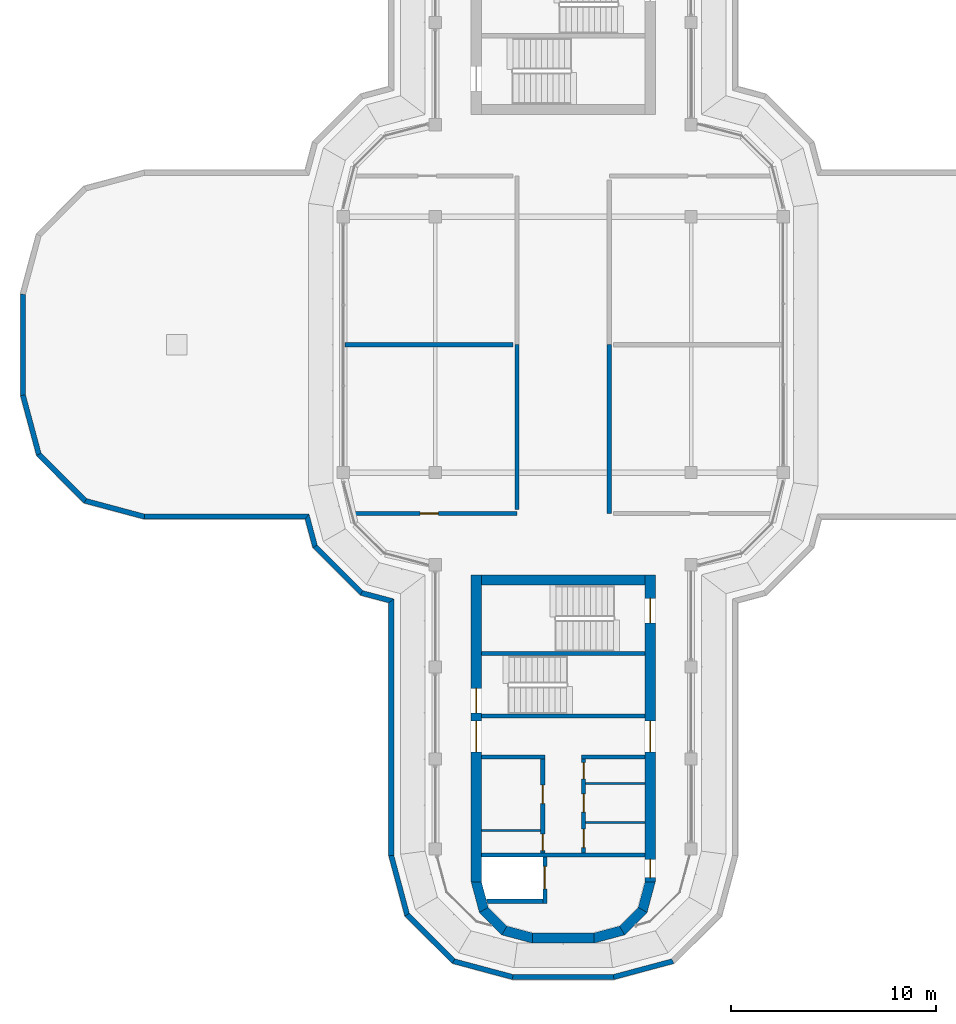
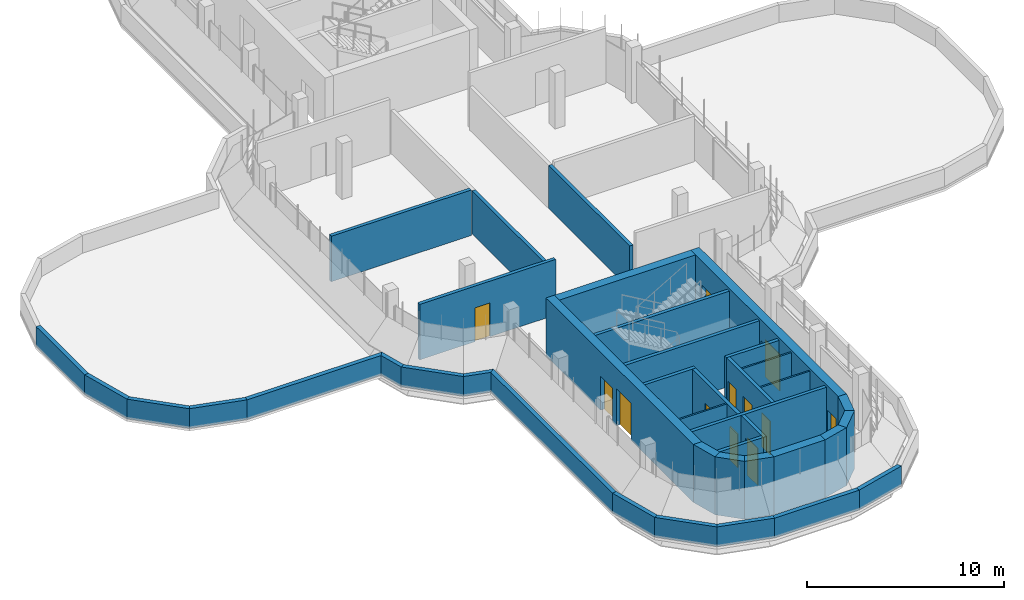
# One storey, part 8 of 13: 40 walls, 12 doors, 12 openings.
"""IFC4 building model written with IfcOpenShell, lengths in metres."""

from ifc_helpers import new_model, si_unit, direction, frame, frame_2d, origin, place, context, subcontext, project, spatial, polyline, rectangle, outline, extrude, material, layer, layer_set, type_object, element, fill, save


model = new_model("IFC4")

# Units and contexts
model_context = context("Model", 3, precision=1e-05, world=origin(), true_north=direction((0.0, 1.0)))
body_context = subcontext(model_context, "Body", "Model", "MODEL_VIEW")
ifc_project = project(units=[si_unit("LENGTHUNIT", "METRE"), si_unit("AREAUNIT", "SQUARE_METRE"), si_unit("VOLUMEUNIT", "CUBIC_METRE"), si_unit("PLANEANGLEUNIT", "RADIAN"), si_unit("MASSUNIT", "GRAM", prefix="KILO")], contexts=[model_context])

# Site, building, storey
site_placement = place(None, origin())
site = spatial("IfcSite", under=ifc_project, at=site_placement, CompositionType="ELEMENT")
building_placement = place(site_placement, origin())
building = spatial("IfcBuilding", under=site, at=building_placement, Name="Zarbagh Exchange Tower", CompositionType="ELEMENT")
storey_placement = place(building_placement, frame((0.0, 0.0, 298.800048828125)))
storey = spatial("IfcBuildingStorey", under=building, at=storey_placement, Name="L73", CompositionType="ELEMENT", Elevation=298.800048828125)

# Walls
ifc_material_1 = material(Name="Dense blockwork", Category="masonry")
ifc_layer_1 = layer(ifc_material_1, 0.10009765625)
ifc_layer_set_1 = layer_set([ifc_layer_1], Name="Core partition 100 mm blockwork")
wall_type_1 = type_object("IfcWallType", Name="Core partition 100 mm blockwork", PredefinedType="PARTITIONING", material=ifc_layer_set_1)
for number, where, z_axis, x_axis, name in (
    (1, (4.0, -23.35009765625, 0.0), (0.0, 0.0, 1.0), (-1.0, 0.0, 0.0), "South core partition wall CUT-W-500"),
    (2, (4.0, -21.449951171875, 0.0), (0.0, 0.0, 1.0), (-1.0, 0.0, 0.0), "South core partition wall CUT-W-690"),
    (3, (-1.10009765625, -23.75, 0.0), (0.0, 0.0, 1.0), (-1.0, 0.0, 0.0), "South core partition wall CUT-E-460"),
):
    element("IfcWall", number, at=place(storey_placement, frame(where, z_axis=z_axis, x_axis=x_axis)), inside=storey, type_object=wall_type_1, Name=name, PredefinedType="PARTITIONING", context=body_context, shape_type="SweptSolid", body=[
        extrude(rectangle(XDim=2.89990234375, YDim=0.10009765625, at=frame_2d((1.449951171875, 0.0))), origin(), (0.0, 0.0, 1.0), 3.449951171875),
    ])
ifc_material_2 = material(Name="Concrete block partition", Category="concrete")
ifc_layer_2 = layer(ifc_material_2, 0.199951171875)
ifc_layer_set_2 = layer_set([ifc_layer_2], Name="Fire-rated block partition 200 EI 60")
wall_type_2 = type_object("IfcWallType", Name="Fire-rated block partition 200 EI 60", PredefinedType="PARTITIONING", material=ifc_layer_set_2)
wall_1_placement = place(storey_placement, frame((2.25, 0.0, 0.0), z_axis=(0.0, 0.0, 1.0), x_axis=(0.0, -1.0, 0.0)))
element("IfcWall", 4, at=wall_1_placement, inside=storey, type_object=wall_type_2, Name="WL-L73-W003", PredefinedType="PARTITIONING", context=body_context, shape_type="SweptSolid", body=[
    extrude(rectangle(XDim=8.25, YDim=0.199951171875, at=frame_2d((4.125, 0.0))), origin(), (0.0, 0.0, 1.0), 2.6806640625),
])

# Wall, opening, door
wall_2_placement = place(storey_placement, frame((-10.238037109375, -8.25, 0.0), z_axis=(0.0, 0.0, 1.0), x_axis=(1.0, 0.0, 0.0)))
wall_2 = element("IfcWall", 5, at=wall_2_placement, inside=storey, type_object=wall_type_2, Name="WL-L73-W007", PredefinedType="PARTITIONING", context=body_context, shape_type="SweptSolid", body=[
    extrude(rectangle(XDim=7.988037109375, YDim=0.199951171875, at=frame_2d((3.994140625, 0.0))), origin(), (0.0, 0.0, 1.0), 3.449951171875),
])
opening_1_placement = place(wall_2_placement, frame((3.239013671875, 0.0, 0.0)))
opening_1 = element("IfcOpeningElement", 6, at=opening_1_placement, cuts=wall_2, Name="Opening D04", PredefinedType="OPENING", context=body_context, shape_type="SweptSolid", body=[
    extrude(rectangle(XDim=0.89990234375, YDim=2.10009765625, at=frame_2d((0.449951171875, 1.050048828125))), frame((0.0, 0.10986328125, 0.0), z_axis=(0.0, -1.0, 0.0), x_axis=(1.0, 0.0, 0.0)), (0.0, 0.0, 1.0), 0.219970703125),
])
ifc_material_3 = material(Name="Steel door set", Category="steel")
door_type_1 = type_object("IfcDoorType", Name="Door single 900x2100 EI 60", OperationType="SINGLE_SWING_LEFT", PredefinedType="DOOR", material=ifc_material_3)
door_1_placement = place(opening_1_placement, origin())
door_1 = element("IfcDoor", 7, at=door_1_placement, inside=storey, type_object=door_type_1, Name="D04", OperationType="SINGLE_SWING_LEFT", OverallHeight=2.10009765625, OverallWidth=0.89990234375, PredefinedType="DOOR", context=body_context, shape_type="SweptSolid", body=[
    extrude(rectangle(XDim=0.89990234375, YDim=2.10009765625, at=frame_2d((0.449951171875, 1.050048828125))), frame((0.0, 0.02490234375, 0.0), z_axis=(0.0, -1.0, 0.0), x_axis=(1.0, 0.0, 0.0)), (0.0, 0.0, 1.0), 0.050048828125),
])
fill(opening_1, door_1)

# Walls
wall_3_placement = place(storey_placement, frame((-2.25, -8.050048828125, 0.0), z_axis=(0.0, 0.0, 1.0), x_axis=(0.0, 1.0, 0.0)))
element("IfcWall", 8, at=wall_3_placement, inside=storey, type_object=wall_type_2, Name="WL-L73-W008", PredefinedType="PARTITIONING", context=body_context, shape_type="SweptSolid", body=[
    extrude(rectangle(XDim=8.050048828125, YDim=0.199951171875, at=frame_2d((4.02490234375, 0.0))), origin(), (0.0, 0.0, 1.0), 2.6806640625),
])
wall_4_placement = place(storey_placement, frame((-2.449951171875, 0.0, 0.0), z_axis=(0.0, 0.0, 1.0), x_axis=(-1.0, 0.0, 0.0)))
element("IfcWall", 9, at=wall_4_placement, inside=storey, type_object=wall_type_2, Name="WL-L73-W010", PredefinedType="PARTITIONING", context=body_context, shape_type="SweptSolid", body=[
    extrude(rectangle(XDim=8.219970703125, YDim=0.199951171875, at=frame_2d((4.10986328125, 0.0))), origin(), (0.0, 0.0, 1.0), 2.827880859375),
])
ifc_material_4 = material(Name="Concrete C40/50", Category="concrete")
ifc_layer_3 = layer(ifc_material_4, 0.25)
ifc_layer_set_3 = layer_set([ifc_layer_3], Name="Parapet wall, concrete C40/50")
wall_type_3 = type_object("IfcWallType", Name="Parapet wall, concrete C40/50", PredefinedType="PARAPET", material=ifc_layer_set_3)
wall_5_placement = place(storey_placement, origin())
element("IfcWall", 10, at=wall_5_placement, inside=storey, type_object=wall_type_3, Name="roof parapet", PredefinedType="PARAPET", context=body_context, shape_type="SweptSolid", body=[
    extrude(outline(polyline([(-2.484375, -31.030029296875), (-5.42138671875, -30.242919921875), (-5.2919921875, -30.018798828125), (-2.451416015625, -30.780029296875), (-2.484375, -31.030029296875)])), origin(), (0.0, 0.0, 1.0), 1.219970703125),
])
wall_6_placement = place(storey_placement, origin())
element("IfcWall", 11, at=wall_6_placement, inside=storey, type_object=wall_type_3, Name="roof parapet", PredefinedType="PARAPET", context=body_context, shape_type="SweptSolid", body=[
    extrude(outline(polyline([(-5.42138671875, -30.242919921875), (-7.742919921875, -27.92138671875), (-7.518798828125, -27.7919921875), (-5.2919921875, -30.018798828125), (-5.42138671875, -30.242919921875)])), origin(), (0.0, 0.0, 1.0), 1.219970703125),
])
wall_7_placement = place(storey_placement, origin())
element("IfcWall", 12, at=wall_7_placement, inside=storey, type_object=wall_type_3, Name="roof parapet", PredefinedType="PARAPET", context=body_context, shape_type="SweptSolid", body=[
    extrude(outline(polyline([(-7.742919921875, -27.92138671875), (-8.530029296875, -24.984375), (-8.280029296875, -24.951416015625), (-7.518798828125, -27.7919921875), (-7.742919921875, -27.92138671875)])), origin(), (0.0, 0.0, 1.0), 1.219970703125),
])
wall_8_placement = place(storey_placement, origin())
element("IfcWall", 13, at=wall_8_placement, inside=storey, type_object=wall_type_3, Name="roof parapet", PredefinedType="PARAPET", context=body_context, shape_type="SweptSolid", body=[
    extrude(outline(polyline([(-8.530029296875, -24.984375), (-8.530029296875, -12.61572265625), (-8.280029296875, -12.424072265625), (-8.280029296875, -24.951416015625), (-8.530029296875, -24.984375)])), origin(), (0.0, 0.0, 1.0), 1.219970703125),
])
wall_9_placement = place(storey_placement, origin())
element("IfcWall", 14, at=wall_9_placement, inside=storey, type_object=wall_type_3, Name="roof parapet", PredefinedType="PARAPET", context=body_context, shape_type="SweptSolid", body=[
    extrude(outline(polyline([(-8.530029296875, -12.61572265625), (-9.92138671875, -12.242919921875), (-9.7919921875, -12.018798828125), (-8.280029296875, -12.424072265625), (-8.530029296875, -12.61572265625)])), origin(), (0.0, 0.0, 1.0), 1.219970703125),
])
wall_10_placement = place(storey_placement, origin())
element("IfcWall", 15, at=wall_10_placement, inside=storey, type_object=wall_type_3, Name="roof parapet", PredefinedType="PARAPET", context=body_context, shape_type="SweptSolid", body=[
    extrude(outline(polyline([(-9.92138671875, -12.242919921875), (-12.242919921875, -9.92138671875), (-12.018798828125, -9.7919921875), (-9.7919921875, -12.018798828125), (-9.92138671875, -12.242919921875)])), origin(), (0.0, 0.0, 1.0), 1.219970703125),
])
wall_11_placement = place(storey_placement, origin())
element("IfcWall", 16, at=wall_11_placement, inside=storey, type_object=wall_type_3, Name="roof parapet", PredefinedType="PARAPET", context=body_context, shape_type="SweptSolid", body=[
    extrude(outline(polyline([(-12.242919921875, -9.92138671875), (-12.61572265625, -8.530029296875), (-12.424072265625, -8.280029296875), (-12.018798828125, -9.7919921875), (-12.242919921875, -9.92138671875)])), origin(), (0.0, 0.0, 1.0), 1.219970703125),
])
wall_12_placement = place(storey_placement, origin())
element("IfcWall", 17, at=wall_12_placement, inside=storey, type_object=wall_type_3, Name="roof parapet", PredefinedType="PARAPET", context=body_context, shape_type="SweptSolid", body=[
    extrude(outline(polyline([(-12.61572265625, -8.530029296875), (-20.484375, -8.530029296875), (-20.451416015625, -8.280029296875), (-12.424072265625, -8.280029296875), (-12.61572265625, -8.530029296875)])), origin(), (0.0, 0.0, 1.0), 1.219970703125),
])
wall_13_placement = place(storey_placement, origin())
element("IfcWall", 18, at=wall_13_placement, inside=storey, type_object=wall_type_3, Name="roof parapet", PredefinedType="PARAPET", context=body_context, shape_type="SweptSolid", body=[
    extrude(outline(polyline([(-20.484375, -8.530029296875), (-23.42138671875, -7.742919921875), (-23.2919921875, -7.518798828125), (-20.451416015625, -8.280029296875), (-20.484375, -8.530029296875)])), origin(), (0.0, 0.0, 1.0), 1.219970703125),
])
wall_14_placement = place(storey_placement, origin())
element("IfcWall", 19, at=wall_14_placement, inside=storey, type_object=wall_type_3, Name="roof parapet", PredefinedType="PARAPET", context=body_context, shape_type="SweptSolid", body=[
    extrude(outline(polyline([(-23.42138671875, -7.742919921875), (-25.742919921875, -5.42138671875), (-25.518798828125, -5.2919921875), (-23.2919921875, -7.518798828125), (-23.42138671875, -7.742919921875)])), origin(), (0.0, 0.0, 1.0), 1.219970703125),
])
wall_15_placement = place(storey_placement, origin())
element("IfcWall", 20, at=wall_15_placement, inside=storey, type_object=wall_type_3, Name="roof parapet", PredefinedType="PARAPET", context=body_context, shape_type="SweptSolid", body=[
    extrude(outline(polyline([(-25.742919921875, -5.42138671875), (-26.530029296875, -2.484375), (-26.280029296875, -2.451416015625), (-25.518798828125, -5.2919921875), (-25.742919921875, -5.42138671875)])), origin(), (0.0, 0.0, 1.0), 1.219970703125),
])
wall_16_placement = place(storey_placement, origin())
element("IfcWall", 21, at=wall_16_placement, inside=storey, type_object=wall_type_3, Name="roof parapet", PredefinedType="PARAPET", context=body_context, shape_type="SweptSolid", body=[
    extrude(outline(polyline([(-26.530029296875, -2.484375), (-26.530029296875, 2.484375), (-26.280029296875, 2.451416015625), (-26.280029296875, -2.451416015625), (-26.530029296875, -2.484375)])), origin(), (0.0, 0.0, 1.0), 1.219970703125),
])
wall_17_placement = place(storey_placement, origin())
element("IfcWall", 22, at=wall_17_placement, inside=storey, type_object=wall_type_3, Name="roof parapet", PredefinedType="PARAPET", context=body_context, shape_type="SweptSolid", body=[
    extrude(outline(polyline([(5.42138671875, -30.242919921875), (2.484375, -31.030029296875), (2.451416015625, -30.780029296875), (5.2919921875, -30.018798828125), (5.42138671875, -30.242919921875)])), origin(), (0.0, 0.0, 1.0), 1.219970703125),
])
wall_18_placement = place(storey_placement, origin())
element("IfcWall", 23, at=wall_18_placement, inside=storey, type_object=wall_type_3, Name="roof parapet", PredefinedType="PARAPET", context=body_context, shape_type="SweptSolid", body=[
    extrude(outline(polyline([(2.484375, -31.030029296875), (-2.484375, -31.030029296875), (-2.451416015625, -30.780029296875), (2.451416015625, -30.780029296875), (2.484375, -31.030029296875)])), origin(), (0.0, 0.0, 1.0), 1.219970703125),
])
ifc_layer_4 = layer(ifc_material_4, 0.5)
ifc_layer_set_4 = layer_set([ifc_layer_4], Name="RC core corner wall 500 C40/50")
wall_type_4 = type_object("IfcWallType", Name="RC core corner wall 500 C40/50", PredefinedType="SHEAR", material=ifc_layer_set_4)
wall_19_placement = place(storey_placement, origin())
element("IfcWall", 24, at=wall_19_placement, inside=storey, type_object=wall_type_4, Name="CW10 core S corner W", PredefinedType="SHEAR", context=body_context, shape_type="SweptSolid", body=[
    extrude(outline(polyline([(-4.5, -26.25), (-4.09814453125, -27.75), (-3.6650390625, -27.5), (-4.0, -26.25), (-4.5, -26.25)])), origin(), (0.0, 0.0, 1.0), 3.599853515625),
])
wall_20_placement = place(storey_placement, origin())
element("IfcWall", 25, at=wall_20_placement, inside=storey, type_object=wall_type_4, Name="CW10 core S corner W", PredefinedType="SHEAR", context=body_context, shape_type="SweptSolid", body=[
    extrude(outline(polyline([(-4.09814453125, -27.75), (-3.0, -28.84814453125), (-2.75, -28.4150390625), (-3.6650390625, -27.5), (-4.09814453125, -27.75)])), origin(), (0.0, 0.0, 1.0), 3.599853515625),
])
wall_21_placement = place(storey_placement, origin())
element("IfcWall", 26, at=wall_21_placement, inside=storey, type_object=wall_type_4, Name="CW10 core S corner W", PredefinedType="SHEAR", context=body_context, shape_type="SweptSolid", body=[
    extrude(outline(polyline([(-3.0, -28.84814453125), (-1.5, -29.25), (-1.5, -28.75), (-2.75, -28.4150390625), (-3.0, -28.84814453125)])), origin(), (0.0, 0.0, 1.0), 3.599853515625),
])
wall_22_placement = place(storey_placement, origin())
element("IfcWall", 27, at=wall_22_placement, inside=storey, type_object=wall_type_4, Name="CW10 core S corner E", PredefinedType="SHEAR", context=body_context, shape_type="SweptSolid", body=[
    extrude(outline(polyline([(4.5, -26.25), (4.09814453125, -27.75), (3.6650390625, -27.5), (4.0, -26.25), (4.5, -26.25)])), origin(), (0.0, 0.0, 1.0), 3.599853515625),
])
wall_23_placement = place(storey_placement, origin())
element("IfcWall", 28, at=wall_23_placement, inside=storey, type_object=wall_type_4, Name="CW10 core S corner E", PredefinedType="SHEAR", context=body_context, shape_type="SweptSolid", body=[
    extrude(outline(polyline([(4.09814453125, -27.75), (3.0, -28.84814453125), (2.75, -28.4150390625), (3.6650390625, -27.5), (4.09814453125, -27.75)])), origin(), (0.0, 0.0, 1.0), 3.599853515625),
])
wall_24_placement = place(storey_placement, origin())
element("IfcWall", 29, at=wall_24_placement, inside=storey, type_object=wall_type_4, Name="CW10 core S corner E", PredefinedType="SHEAR", context=body_context, shape_type="SweptSolid", body=[
    extrude(outline(polyline([(3.0, -28.84814453125), (1.5, -29.25), (1.5, -28.75), (2.75, -28.4150390625), (3.0, -28.84814453125)])), origin(), (0.0, 0.0, 1.0), 3.599853515625),
])

# Wall, openings, doors
ifc_layer_5 = layer(ifc_material_4, 0.5)
ifc_layer_set_5 = layer_set([ifc_layer_5], Name="RC core wall 500 C40/50")
wall_type_5 = type_object("IfcWallType", Name="RC core wall 500 C40/50", PredefinedType="SHEAR", material=ifc_layer_set_5)
wall_25_placement = place(storey_placement, frame((-4.25, -11.25, 0.0), z_axis=(0.0, 0.0, 1.0), x_axis=(0.0, -1.0, 0.0)))
wall_25 = element("IfcWall", 30, at=wall_25_placement, inside=storey, type_object=wall_type_5, Name="CW9 core S W", PredefinedType="SHEAR", context=body_context, shape_type="SweptSolid", body=[
    extrude(rectangle(XDim=15.0, YDim=0.5, at=frame_2d((7.5, 0.0))), origin(), (0.0, 0.0, 1.0), 3.599853515625),
])
opening_2_placement = place(wall_25_placement, frame((7.14990234375, 0.0, 0.0)))
opening_2 = element("IfcOpeningElement", 31, at=opening_2_placement, cuts=wall_25, Name="Opening CD1-1500", PredefinedType="OPENING", context=body_context, shape_type="SweptSolid", body=[
    extrude(rectangle(XDim=1.5, YDim=2.300048828125, at=frame_2d((0.75, 1.14990234375))), frame((0.0, 0.260009765625, 0.0), z_axis=(0.0, -1.0, 0.0), x_axis=(1.0, 0.0, 0.0)), (0.0, 0.0, 1.0), 0.52001953125),
])
opening_3_placement = place(wall_25_placement, frame((5.550048828125, 0.0, 0.0)))
opening_3 = element("IfcOpeningElement", 32, at=opening_3_placement, cuts=wall_25, Name="Opening SD1-1200", PredefinedType="OPENING", context=body_context, shape_type="SweptSolid", body=[
    extrude(rectangle(XDim=1.199951171875, YDim=2.10009765625, at=frame_2d((0.60009765625, 1.050048828125))), frame((0.0, 0.260009765625, 0.0), z_axis=(0.0, -1.0, 0.0), x_axis=(1.0, 0.0, 0.0)), (0.0, 0.0, 1.0), 0.52001953125),
])
ifc_material_5 = material(Name="Steel", Category="steel")
door_type_2 = type_object("IfcDoorType", Name="Exit stair door 1200 x 2100", OperationType="NOTDEFINED", PredefinedType="DOOR", material=ifc_material_5)
door_2_placement = place(opening_3_placement, origin())
door_2 = element("IfcDoor", 33, at=door_2_placement, inside=storey, type_object=door_type_2, Name="South core stair door ST1", OperationType="SINGLE_SWING_LEFT", OverallHeight=2.10009765625, OverallWidth=1.199951171875, PredefinedType="DOOR", context=body_context, shape_type="SweptSolid", body=[
    extrude(rectangle(XDim=1.199951171875, YDim=2.10009765625, at=frame_2d((0.60009765625, 1.050048828125))), frame((0.0, 0.02490234375, 0.0), z_axis=(0.0, -1.0, 0.0), x_axis=(1.0, 0.0, 0.0)), (0.0, 0.0, 1.0), 0.050048828125),
])
fill(opening_3, door_2)
door_type_3 = type_object("IfcDoorType", Name="Lift lobby double door 1500 x 2300", OperationType="NOTDEFINED", PredefinedType="DOOR", material=ifc_material_5)
door_3_placement = place(opening_2_placement, origin())
door_3 = element("IfcDoor", 34, at=door_3_placement, inside=storey, type_object=door_type_3, Name="South core lift lobby door LOBBY-E", OperationType="DOUBLE_DOOR_SINGLE_SWING", OverallHeight=2.300048828125, OverallWidth=1.5, PredefinedType="DOOR", context=body_context, shape_type="SweptSolid", body=[
    extrude(rectangle(XDim=1.5, YDim=2.300048828125, at=frame_2d((0.75, 1.14990234375))), frame((0.0, 0.02490234375, 0.0), z_axis=(0.0, -1.0, 0.0), x_axis=(1.0, 0.0, 0.0)), (0.0, 0.0, 1.0), 0.050048828125),
])
fill(opening_2, door_3)

wall_26_placement = place(storey_placement, frame((4.25, -11.25, 0.0), z_axis=(0.0, 0.0, 1.0), x_axis=(0.0, -1.0, 0.0)))
wall_26 = element("IfcWall", 35, at=wall_26_placement, inside=storey, type_object=wall_type_5, Name="CW9 core S E", PredefinedType="SHEAR", context=body_context, shape_type="SweptSolid", body=[
    extrude(rectangle(XDim=15.0, YDim=0.5, at=frame_2d((7.5, 0.0))), origin(), (0.0, 0.0, 1.0), 3.599853515625),
])
opening_4_placement = place(wall_26_placement, frame((7.14990234375, 0.0, 0.0)))
opening_4 = element("IfcOpeningElement", 36, at=opening_4_placement, cuts=wall_26, Name="Opening CD1-1500", PredefinedType="OPENING", context=body_context, shape_type="SweptSolid", body=[
    extrude(rectangle(XDim=1.5, YDim=2.300048828125, at=frame_2d((0.75, 1.14990234375))), frame((0.0, 0.260009765625, 0.0), z_axis=(0.0, -1.0, 0.0), x_axis=(1.0, 0.0, 0.0)), (0.0, 0.0, 1.0), 0.52001953125),
])
opening_5_placement = place(wall_26_placement, frame((13.89990234375, 0.0, 0.0)))
opening_5 = element("IfcOpeningElement", 37, at=opening_5_placement, cuts=wall_26, Name="Opening CD2-900", PredefinedType="OPENING", context=body_context, shape_type="SweptSolid", body=[
    extrude(rectangle(XDim=0.89990234375, YDim=2.10009765625, at=frame_2d((0.449951171875, 1.050048828125))), frame((0.0, 0.260009765625, 0.0), z_axis=(0.0, -1.0, 0.0), x_axis=(1.0, 0.0, 0.0)), (0.0, 0.0, 1.0), 0.52001953125),
])
opening_6_placement = place(wall_26_placement, frame((1.14990234375, 0.0, 0.0)))
opening_6 = element("IfcOpeningElement", 38, at=opening_6_placement, cuts=wall_26, Name="Opening SD1-1200", PredefinedType="OPENING", context=body_context, shape_type="SweptSolid", body=[
    extrude(rectangle(XDim=1.199951171875, YDim=2.10009765625, at=frame_2d((0.60009765625, 1.050048828125))), frame((0.0, 0.260009765625, 0.0), z_axis=(0.0, -1.0, 0.0), x_axis=(1.0, 0.0, 0.0)), (0.0, 0.0, 1.0), 0.52001953125),
])
door_4_placement = place(opening_6_placement, origin())
door_4 = element("IfcDoor", 39, at=door_4_placement, inside=storey, type_object=door_type_2, Name="South core stair door ST2", OperationType="SINGLE_SWING_LEFT", OverallHeight=2.10009765625, OverallWidth=1.199951171875, PredefinedType="DOOR", context=body_context, shape_type="SweptSolid", body=[
    extrude(rectangle(XDim=1.199951171875, YDim=2.10009765625, at=frame_2d((0.60009765625, 1.050048828125))), frame((0.0, 0.02490234375, 0.0), z_axis=(0.0, -1.0, 0.0), x_axis=(1.0, 0.0, 0.0)), (0.0, 0.0, 1.0), 0.050048828125),
])
fill(opening_6, door_4)
door_type_4 = type_object("IfcDoorType", Name="Firefighting lobby door 900 x 2100", OperationType="NOTDEFINED", PredefinedType="DOOR", material=ifc_material_5)
door_5_placement = place(opening_5_placement, origin())
door_5 = element("IfcDoor", 40, at=door_5_placement, inside=storey, type_object=door_type_4, Name="South core firefighting lobby door FF-W", OperationType="SINGLE_SWING_RIGHT", OverallHeight=2.10009765625, OverallWidth=0.89990234375, PredefinedType="DOOR", context=body_context, shape_type="SweptSolid", body=[
    extrude(rectangle(XDim=0.89990234375, YDim=2.10009765625, at=frame_2d((0.449951171875, 1.050048828125))), frame((0.0, 0.02490234375, 0.0), z_axis=(0.0, -1.0, 0.0), x_axis=(1.0, 0.0, 0.0)), (0.0, 0.0, 1.0), 0.050048828125),
])
fill(opening_5, door_5)
door_6_placement = place(opening_4_placement, origin())
door_6 = element("IfcDoor", 41, at=door_6_placement, inside=storey, type_object=door_type_3, Name="South core lift lobby door LOBBY-W", OperationType="DOUBLE_DOOR_SINGLE_SWING", OverallHeight=2.300048828125, OverallWidth=1.5, PredefinedType="DOOR", context=body_context, shape_type="SweptSolid", body=[
    extrude(rectangle(XDim=1.5, YDim=2.300048828125, at=frame_2d((0.75, 1.14990234375))), frame((0.0, 0.02490234375, 0.0), z_axis=(0.0, -1.0, 0.0), x_axis=(1.0, 0.0, 0.0)), (0.0, 0.0, 1.0), 0.050048828125),
])
fill(opening_4, door_6)

# Walls
wall_27_placement = place(storey_placement, frame((-4.0, -11.5, 0.0), z_axis=(0.0, 0.0, 1.0), x_axis=(1.0, 0.0, 0.0)))
element("IfcWall", 42, at=wall_27_placement, inside=storey, type_object=wall_type_5, Name="CW9 core S inner end", PredefinedType="SHEAR", context=body_context, shape_type="SweptSolid", body=[
    extrude(rectangle(XDim=8.0, YDim=0.5, at=frame_2d((4.0, 0.0))), origin(), (0.0, 0.0, 1.0), 3.599853515625),
])
wall_28_placement = place(storey_placement, frame((-1.5, -29.0, 0.0), z_axis=(0.0, 0.0, 1.0), x_axis=(1.0, 0.0, 0.0)))
element("IfcWall", 43, at=wall_28_placement, inside=storey, type_object=wall_type_5, Name="CW9 core S outer end", PredefinedType="SHEAR", context=body_context, shape_type="SweptSolid", body=[
    extrude(rectangle(XDim=3.0, YDim=0.5, at=frame_2d((1.5, 0.0))), origin(), (0.0, 0.0, 1.0), 3.599853515625),
])
ifc_layer_6 = layer(ifc_material_1, 0.199951171875)
ifc_layer_set_6 = layer_set([ifc_layer_6], Name="Shaft wall 200 mm blockwork")
wall_type_6 = type_object("IfcWallType", Name="Shaft wall 200 mm blockwork", PredefinedType="PARTITIONING", material=ifc_layer_set_6)
wall_29_placement = place(storey_placement, frame((4.0, -20.14990234375, 0.0), z_axis=(0.0, 0.0, 1.0), x_axis=(-1.0, 0.0, 0.0)))
element("IfcWall", 44, at=wall_29_placement, inside=storey, type_object=wall_type_6, Name="South core shaft wall AB-W", PredefinedType="PARTITIONING", context=body_context, shape_type="SweptSolid", body=[
    extrude(rectangle(XDim=3.10009765625, YDim=0.199951171875, at=frame_2d((1.550048828125, 0.0))), origin(), (0.0, 0.0, 1.0), 3.449951171875),
])

# Wall, openings, doors
wall_30_placement = place(storey_placement, frame((1.0, -24.85009765625, 0.0), z_axis=(0.0, 0.0, 1.0), x_axis=(0.0, 1.0, 0.0)))
wall_30 = element("IfcWall", 45, at=wall_30_placement, inside=storey, type_object=wall_type_6, Name="South core shaft wall LW-W", PredefinedType="PARTITIONING", context=body_context, shape_type="SweptSolid", body=[
    extrude(rectangle(XDim=4.60009765625, YDim=0.199951171875, at=frame_2d((2.300048828125, 0.0))), origin(), (0.0, 0.0, 1.0), 3.449951171875),
])
opening_7_placement = place(wall_30_placement, frame((0.27490234375, 0.0, 0.0)))
opening_7 = element("IfcOpeningElement", 46, at=opening_7_placement, cuts=wall_30, Name="Opening CD3-900", PredefinedType="OPENING", context=body_context, shape_type="SweptSolid", body=[
    extrude(rectangle(XDim=0.89990234375, YDim=2.10009765625, at=frame_2d((0.449951171875, 1.050048828125))), frame((0.0, 0.10986328125, 0.0), z_axis=(0.0, -1.0, 0.0), x_axis=(1.0, 0.0, 0.0)), (0.0, 0.0, 1.0), 0.219970703125),
])
opening_8_placement = place(wall_30_placement, frame((2.0, 0.0, 0.0)))
opening_8 = element("IfcOpeningElement", 47, at=opening_8_placement, cuts=wall_30, Name="Opening CD3-900", PredefinedType="OPENING", context=body_context, shape_type="SweptSolid", body=[
    extrude(rectangle(XDim=0.89990234375, YDim=2.10009765625, at=frame_2d((0.449951171875, 1.050048828125))), frame((0.0, 0.10986328125, 0.0), z_axis=(0.0, -1.0, 0.0), x_axis=(1.0, 0.0, 0.0)), (0.0, 0.0, 1.0), 0.219970703125),
])
opening_9_placement = place(wall_30_placement, frame((3.625, 0.0, 0.0)))
opening_9 = element("IfcOpeningElement", 48, at=opening_9_placement, cuts=wall_30, Name="Opening CD3-800", PredefinedType="OPENING", context=body_context, shape_type="SweptSolid", body=[
    extrude(rectangle(XDim=0.800048828125, YDim=2.10009765625, at=frame_2d((0.39990234375, 1.050048828125))), frame((0.0, 0.10986328125, 0.0), z_axis=(0.0, -1.0, 0.0), x_axis=(1.0, 0.0, 0.0)), (0.0, 0.0, 1.0), 0.219970703125),
])
door_type_5 = type_object("IfcDoorType", Name="Core room door 800 x 2100", OperationType="NOTDEFINED", PredefinedType="DOOR", material=ifc_material_5)
door_7_placement = place(opening_9_placement, origin())
door_7 = element("IfcDoor", 49, at=door_7_placement, inside=storey, type_object=door_type_5, Name="South core Control room door RD-W-2", OperationType="SINGLE_SWING_RIGHT", OverallHeight=2.10009765625, OverallWidth=0.800048828125, PredefinedType="DOOR", context=body_context, shape_type="SweptSolid", body=[
    extrude(rectangle(XDim=0.800048828125, YDim=2.10009765625, at=frame_2d((0.39990234375, 1.050048828125))), frame((0.0, 0.02490234375, 0.0), z_axis=(0.0, -1.0, 0.0), x_axis=(1.0, 0.0, 0.0)), (0.0, 0.0, 1.0), 0.050048828125),
])
fill(opening_9, door_7)
door_type_6 = type_object("IfcDoorType", Name="Core room door 900 x 2100", OperationType="NOTDEFINED", PredefinedType="DOOR", material=ifc_material_5)
door_8_placement = place(opening_7_placement, origin())
door_8 = element("IfcDoor", 50, at=door_8_placement, inside=storey, type_object=door_type_6, Name="South core Mechanical store door RD-W-0", OperationType="SINGLE_SWING_RIGHT", OverallHeight=2.10009765625, OverallWidth=0.89990234375, PredefinedType="DOOR", context=body_context, shape_type="SweptSolid", body=[
    extrude(rectangle(XDim=0.89990234375, YDim=2.10009765625, at=frame_2d((0.449951171875, 1.050048828125))), frame((0.0, 0.02490234375, 0.0), z_axis=(0.0, -1.0, 0.0), x_axis=(1.0, 0.0, 0.0)), (0.0, 0.0, 1.0), 0.050048828125),
])
fill(opening_7, door_8)
door_9_placement = place(opening_8_placement, origin())
door_9 = element("IfcDoor", 51, at=door_9_placement, inside=storey, type_object=door_type_6, Name="South core Plant room door RD-W-1", OperationType="SINGLE_SWING_RIGHT", OverallHeight=2.10009765625, OverallWidth=0.89990234375, PredefinedType="DOOR", context=body_context, shape_type="SweptSolid", body=[
    extrude(rectangle(XDim=0.89990234375, YDim=2.10009765625, at=frame_2d((0.449951171875, 1.050048828125))), frame((0.0, 0.02490234375, 0.0), z_axis=(0.0, -1.0, 0.0), x_axis=(1.0, 0.0, 0.0)), (0.0, 0.0, 1.0), 0.050048828125),
])
fill(opening_8, door_9)

# Wall
wall_31_placement = place(storey_placement, frame((-0.89990234375, -20.14990234375, 0.0), z_axis=(0.0, 0.0, 1.0), x_axis=(-1.0, 0.0, 0.0)))
element("IfcWall", 52, at=wall_31_placement, inside=storey, type_object=wall_type_6, Name="South core shaft wall AB-E", PredefinedType="PARTITIONING", context=body_context, shape_type="SweptSolid", body=[
    extrude(rectangle(XDim=3.10009765625, YDim=0.199951171875, at=frame_2d((1.550048828125, 0.0))), origin(), (0.0, 0.0, 1.0), 3.449951171875),
])

# Wall, openings, doors
wall_32_placement = place(storey_placement, frame((-1.0, -24.85009765625, 0.0), z_axis=(0.0, 0.0, 1.0), x_axis=(0.0, 1.0, 0.0)))
wall_32 = element("IfcWall", 53, at=wall_32_placement, inside=storey, type_object=wall_type_6, Name="South core shaft wall LW-E", PredefinedType="PARTITIONING", context=body_context, shape_type="SweptSolid", body=[
    extrude(rectangle(XDim=4.60009765625, YDim=0.199951171875, at=frame_2d((2.300048828125, 0.0))), origin(), (0.0, 0.0, 1.0), 3.449951171875),
])
opening_10_placement = place(wall_32_placement, frame((0.125, 0.0, 0.0)))
opening_10 = element("IfcOpeningElement", 54, at=opening_10_placement, cuts=wall_32, Name="Opening CD3-800", PredefinedType="OPENING", context=body_context, shape_type="SweptSolid", body=[
    extrude(rectangle(XDim=0.800048828125, YDim=2.10009765625, at=frame_2d((0.39990234375, 1.050048828125))), frame((0.0, 0.10986328125, 0.0), z_axis=(0.0, -1.0, 0.0), x_axis=(1.0, 0.0, 0.0)), (0.0, 0.0, 1.0), 0.219970703125),
])
opening_11_placement = place(wall_32_placement, frame((2.425048828125, 0.0, 0.0)))
opening_11 = element("IfcOpeningElement", 55, at=opening_11_placement, cuts=wall_32, Name="Opening CD3-900", PredefinedType="OPENING", context=body_context, shape_type="SweptSolid", body=[
    extrude(rectangle(XDim=0.89990234375, YDim=2.10009765625, at=frame_2d((0.449951171875, 1.050048828125))), frame((0.0, 0.10986328125, 0.0), z_axis=(0.0, -1.0, 0.0), x_axis=(1.0, 0.0, 0.0)), (0.0, 0.0, 1.0), 0.219970703125),
])
door_10_placement = place(opening_10_placement, origin())
door_10 = element("IfcDoor", 56, at=door_10_placement, inside=storey, type_object=door_type_5, Name="South core Plant room door RD-E-0", OperationType="SINGLE_SWING_RIGHT", OverallHeight=2.10009765625, OverallWidth=0.800048828125, PredefinedType="DOOR", context=body_context, shape_type="SweptSolid", body=[
    extrude(rectangle(XDim=0.800048828125, YDim=2.10009765625, at=frame_2d((0.39990234375, 1.050048828125))), frame((0.0, 0.02490234375, 0.0), z_axis=(0.0, -1.0, 0.0), x_axis=(1.0, 0.0, 0.0)), (0.0, 0.0, 1.0), 0.050048828125),
])
fill(opening_10, door_10)
door_11_placement = place(opening_11_placement, origin())
door_11 = element("IfcDoor", 57, at=door_11_placement, inside=storey, type_object=door_type_6, Name="South core Mechanical store door RD-E-1", OperationType="SINGLE_SWING_LEFT", OverallHeight=2.10009765625, OverallWidth=0.89990234375, PredefinedType="DOOR", context=body_context, shape_type="SweptSolid", body=[
    extrude(rectangle(XDim=0.89990234375, YDim=2.10009765625, at=frame_2d((0.449951171875, 1.050048828125))), frame((0.0, 0.02490234375, 0.0), z_axis=(0.0, -1.0, 0.0), x_axis=(1.0, 0.0, 0.0)), (0.0, 0.0, 1.0), 0.050048828125),
])
fill(opening_11, door_11)

# Wall
ifc_layer_7 = layer(ifc_material_4, 0.199951171875)
ifc_layer_set_7 = layer_set([ifc_layer_7], Name="Stair enclosure wall 200 mm RC C40/50")
wall_type_7 = type_object("IfcWallType", Name="Stair enclosure wall 200 mm RC C40/50", PredefinedType="SHEAR", material=ifc_layer_set_7)
wall_33_placement = place(storey_placement, frame((4.0, -24.949951171875, 0.0), z_axis=(0.0, 0.0, 1.0), x_axis=(-1.0, 0.0, 0.0)))
element("IfcWall", 58, at=wall_33_placement, inside=storey, type_object=wall_type_7, Name="South core lift shaft wall FFA", PredefinedType="SHEAR", context=body_context, shape_type="SweptSolid", body=[
    extrude(rectangle(XDim=8.0, YDim=0.199951171875, at=frame_2d((4.0, 0.0))), origin(), (0.0, 0.0, 1.0), 3.449951171875),
])

# Wall, opening, door
wall_34_placement = place(storey_placement, frame((-0.89990234375, -27.300048828125, 0.0), z_axis=(0.0, 0.0, 1.0), x_axis=(0.0, 1.0, 0.0)))
wall_34 = element("IfcWall", 59, at=wall_34_placement, inside=storey, type_object=wall_type_7, Name="South core lift shaft wall FFL", PredefinedType="SHEAR", context=body_context, shape_type="SweptSolid", body=[
    extrude(rectangle(XDim=2.25, YDim=0.199951171875, at=frame_2d((1.125, 0.0))), origin(), (0.0, 0.0, 1.0), 3.449951171875),
])
opening_12_placement = place(wall_34_placement, frame((0.699951171875, 0.0, 0.0)))
opening_12 = element("IfcOpeningElement", 60, at=opening_12_placement, cuts=wall_34, Name="Opening LD-1100", PredefinedType="OPENING", context=body_context, shape_type="SweptSolid", body=[
    extrude(rectangle(XDim=1.10009765625, YDim=2.300048828125, at=frame_2d((0.550048828125, 1.14990234375))), frame((0.0, 0.10986328125, 0.0), z_axis=(0.0, -1.0, 0.0), x_axis=(1.0, 0.0, 0.0)), (0.0, 0.0, 1.0), 0.219970703125),
])
ifc_material_6 = material(Name="Stainless steel", Category="steel")
door_type_7 = type_object("IfcDoorType", Name="Lift landing door 1100 x 2300", OperationType="NOTDEFINED", PredefinedType="DOOR", material=ifc_material_6)
door_12_placement = place(opening_12_placement, origin())
door_12 = element("IfcDoor", 61, at=door_12_placement, inside=storey, type_object=door_type_7, Name="South core lift landing door LD-F", OperationType="DOUBLE_DOOR_SLIDING", OverallHeight=2.300048828125, OverallWidth=1.10009765625, PredefinedType="DOOR", context=body_context, shape_type="SweptSolid", body=[
    extrude(rectangle(XDim=1.10009765625, YDim=2.300048828125, at=frame_2d((0.550048828125, 1.14990234375))), frame((0.0, 0.02490234375, 0.0), z_axis=(0.0, -1.0, 0.0), x_axis=(1.0, 0.0, 0.0)), (0.0, 0.0, 1.0), 0.050048828125),
])
fill(opening_12, door_12)

# Walls
wall_35_placement = place(storey_placement, origin())
element("IfcWall", 62, at=wall_35_placement, inside=storey, type_object=wall_type_7, Name="South core lift shaft wall FFX", PredefinedType="SHEAR", context=body_context, shape_type="SweptSolid", body=[
    extrude(outline(polyline([(-1.0, -27.10009765625), (-3.754638671875, -27.10009765625), (-3.700927734375, -27.300048828125), (-1.0, -27.300048828125), (-1.0, -27.10009765625)])), origin(), (0.0, 0.0, 1.0), 3.449951171875),
])
for number, where, z_axis, x_axis, name in (
    (63, (4.0, -18.14990234375, 0.0), (0.0, 0.0, 1.0), (-1.0, 0.0, 0.0), "South core stair wall BS"),
    (64, (4.0, -15.10009765625, 0.0), (0.0, 0.0, 1.0), (-1.0, 0.0, 0.0), "South core stair wall ST12"),
):
    element("IfcWall", number, at=place(storey_placement, frame(where, z_axis=z_axis, x_axis=x_axis)), inside=storey, type_object=wall_type_7, Name=name, PredefinedType="SHEAR", context=body_context, shape_type="SweptSolid", body=[
        extrude(rectangle(XDim=8.0, YDim=0.199951171875, at=frame_2d((4.0, 0.0))), origin(), (0.0, 0.0, 1.0), 3.449951171875),
    ])

save(model, "model.ifc")
